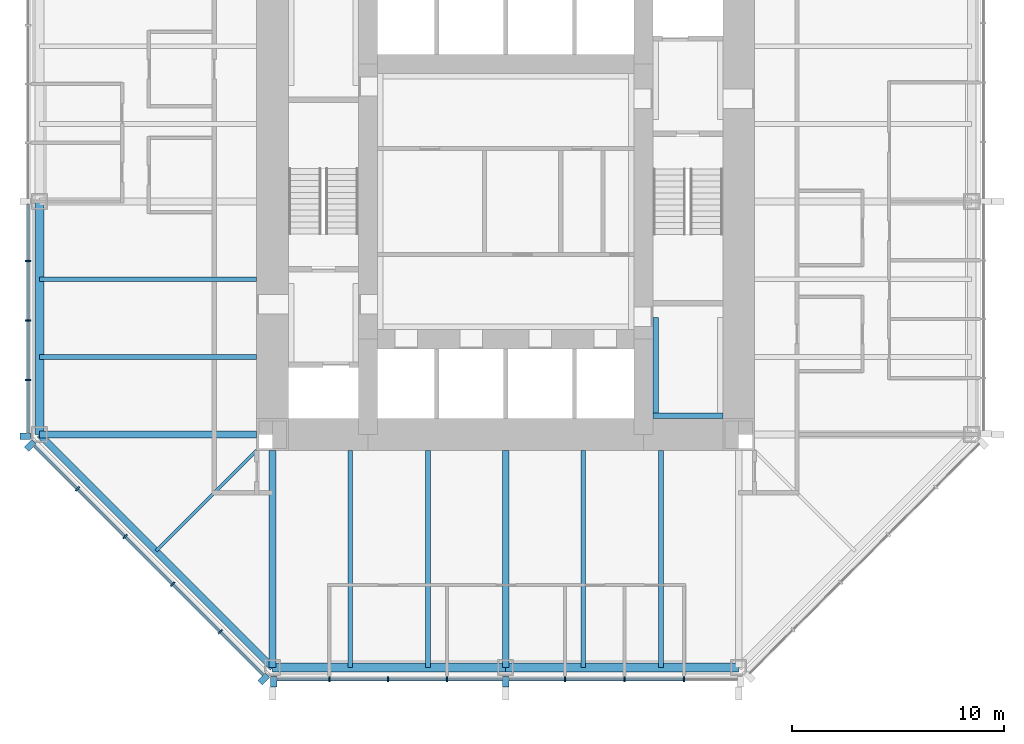
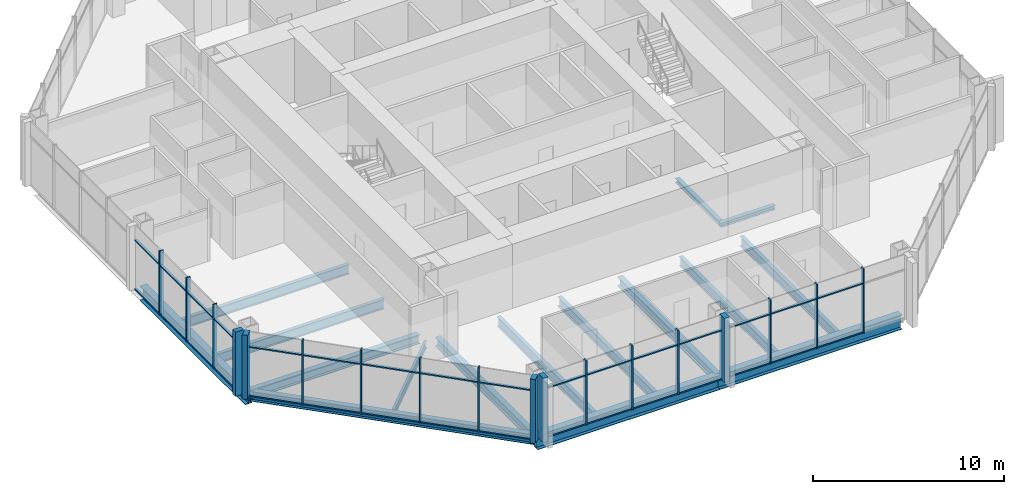
# One storey, part 2 of 12: 50 members, 16 beams, 3 elements without a shape of their own.
"""IFC4 building model written with IfcOpenShell, lengths in metres."""

from ifc_helpers import new_model, si_unit, direction, frame, origin, origin_2d, place, context, subcontext, project, spatial, rectangle, i_section, extrude, material, material_profile, profile_set, type_object, element, aggregate, save


model = new_model("IFC4")

# Units and contexts
model_context = context("Model", 3, precision=1e-05, world=origin(), true_north=direction((0.0, 1.0)))
body_context = subcontext(model_context, "Body", "Model", "MODEL_VIEW")
ifc_project = project(units=[si_unit("LENGTHUNIT", "METRE"), si_unit("AREAUNIT", "SQUARE_METRE"), si_unit("VOLUMEUNIT", "CUBIC_METRE"), si_unit("PLANEANGLEUNIT", "RADIAN"), si_unit("MASSUNIT", "GRAM", prefix="KILO")], contexts=[model_context])

# Site, building, storey
site_placement = place(None, origin())
site = spatial("IfcSite", under=ifc_project, at=site_placement, CompositionType="ELEMENT")
building_placement = place(site_placement, origin())
building = spatial("IfcBuilding", under=site, at=building_placement, Name="Trevanion Tower", CompositionType="ELEMENT")
storey_placement = place(building_placement, frame((0.0, 0.0, 145.89990234375)))
storey = spatial("IfcBuildingStorey", under=building, at=storey_placement, Name="L34", CompositionType="ELEMENT", Elevation=145.89990234375)

# Beams
ifc_material_1 = material(Name="Steel ASTM A992 Grade 50", Category="steel")
ifc_material_profile_1 = material_profile(ifc_material_1, i_section(OverallWidth=0.22900390625, OverallDepth=0.612060546875, WebThickness=0.011962890625, FlangeThickness=0.01953125, at=origin_2d()), Name="W24X84")
ifc_profile_set_1 = profile_set([ifc_material_profile_1], Name="Steel ASTM A992 Grade 50")
beam_type_1 = type_object("IfcBeamType", Name="B7 W24X84", PredefinedType="BEAM", material=ifc_profile_set_1)
for number, where, z_axis, x_axis, name in (
    (1, (-11.75, -3.666748046875, -0.49609375), (-1.0, 0.0, 0.0), (0.0, -1.0, 0.0), "B7 L34"),
    (2, (-11.75, -7.333251953125, -0.49609375), (-1.0, 0.0, 0.0), (0.0, -1.0, 0.0), "B7 L34"),
    (3, (-7.333251953125, -11.75, -0.49609375), (0.0, -1.0, 0.0), (1.0, 0.0, 0.0), "B7 L34"),
    (4, (-3.666748046875, -11.75, -0.49609375), (0.0, -1.0, 0.0), (1.0, 0.0, 0.0), "B7 L34"),
    (5, (3.666748046875, -11.75, -0.49609375), (0.0, -1.0, 0.0), (1.0, 0.0, 0.0), "B7 L34"),
    (6, (7.333251953125, -11.75, -0.49609375), (0.0, -1.0, 0.0), (1.0, 0.0, 0.0), "B7 L34"),
):
    element("IfcBeam", number, at=place(storey_placement, frame(where, z_axis=z_axis, x_axis=x_axis)), inside=storey, type_object=beam_type_1, Name=name, PredefinedType="BEAM", context=body_context, shape_type="SweptSolid", body=[
        extrude(i_section(OverallWidth=0.22900390625, OverallDepth=0.612060546875, WebThickness=0.011962890625, FlangeThickness=0.01953125, at=origin_2d()), origin(), (0.0, 0.0, 1.0), 10.25),
    ])
ifc_material_2 = material(Name="Steel ASTM A992 Grade 50", Category="steel")
ifc_material_profile_2 = material_profile(ifc_material_2, i_section(OverallWidth=0.15234375, OverallDepth=0.449462890625, WebThickness=0.007568359375, FlangeThickness=0.0107421875, at=origin_2d()), Name="W18X35")
ifc_profile_set_2 = profile_set([ifc_material_profile_2], Name="Steel ASTM A992 Grade 50")
beam_type_2 = type_object("IfcBeamType", Name="B8 W18X35", PredefinedType="BEAM", material=ifc_profile_set_2)
beam_1_placement = place(storey_placement, frame((-11.75, -11.75, -0.414794921875), z_axis=(-0.707106781187, -0.707106781187, 0.0), x_axis=(0.707106781187, -0.707106781187, 0.0)))
element("IfcBeam", 7, at=beam_1_placement, inside=storey, type_object=beam_type_2, Name="B8 L34", PredefinedType="BEAM", context=body_context, shape_type="SweptSolid", body=[
    extrude(i_section(OverallWidth=0.15234375, OverallDepth=0.449462890625, WebThickness=0.007568359375, FlangeThickness=0.0107421875, at=origin_2d()), origin(), (0.0, 0.0, 1.0), 6.717529296875),
])

# Curtain wall, members
ifc_material_3 = material(Name="Aluminium and glass", Category="aluminium")
curtain_wall_type = type_object("IfcCurtainWallType", Name="CW2 curtain wall", PredefinedType="USERDEFINED", material=ifc_material_3)
curtain_wall_1_placement = place(storey_placement, origin())
curtain_wall_1 = element("IfcCurtainWall", 8, at=curtain_wall_1_placement, inside=storey, type_object=curtain_wall_type, Name="CW2 L34 4", ObjectType="UNITISED CURTAIN WALL", PredefinedType="USERDEFINED")
ifc_material_4 = material(Name="Aluminium extrusion, anodised bronze", Category="aluminium")
ifc_material_profile_3 = material_profile(ifc_material_4, rectangle(XDim=0.074951171875, YDim=0.25, at=origin_2d()), Name="CW2 mullion")
ifc_profile_set_3 = profile_set([ifc_material_profile_3], Name="Aluminium extrusion, anodised bronze")
member_type_1 = type_object("IfcMemberType", Name="CW2 mullion", PredefinedType="MULLION", material=ifc_profile_set_3)
member_1_placement = place(storey_placement, frame((-22.550048828125, -2.806884765625, -0.18994140625), z_axis=(0.0, 0.0, 1.0), x_axis=(0.0, -1.0, 0.0)))
member_1 = element("IfcMember", 9, at=member_1_placement, type_object=member_type_1, Name="CW2 mullion 6", PredefinedType="MULLION", context=body_context, shape_type="SweptSolid", body=[
    extrude(rectangle(XDim=0.074951171875, YDim=0.25, at=origin_2d()), origin(), (0.0, 0.0, 1.0), 4.10009765625),
])
member_2_placement = place(storey_placement, frame((-22.550048828125, -5.614013671875, -0.18994140625), z_axis=(0.0, 0.0, 1.0), x_axis=(0.0, -1.0, 0.0)))
member_2 = element("IfcMember", 10, at=member_2_placement, type_object=member_type_1, Name="CW2 mullion 7", PredefinedType="MULLION", context=body_context, shape_type="SweptSolid", body=[
    extrude(rectangle(XDim=0.074951171875, YDim=0.25, at=origin_2d()), origin(), (0.0, 0.0, 1.0), 4.10009765625),
])
member_3_placement = place(storey_placement, frame((-22.550048828125, -8.4208984375, -0.18994140625), z_axis=(0.0, 0.0, 1.0), x_axis=(0.0, -1.0, 0.0)))
member_3 = element("IfcMember", 11, at=member_3_placement, type_object=member_type_1, Name="CW2 mullion 8", PredefinedType="MULLION", context=body_context, shape_type="SweptSolid", body=[
    extrude(rectangle(XDim=0.074951171875, YDim=0.25, at=origin_2d()), origin(), (0.0, 0.0, 1.0), 4.10009765625),
])

curtain_wall_2_placement = place(storey_placement, origin())
curtain_wall_2 = element("IfcCurtainWall", 12, at=curtain_wall_2_placement, inside=storey, type_object=curtain_wall_type, Name="CW2 L34 5", ObjectType="UNITISED CURTAIN WALL", PredefinedType="USERDEFINED")
member_4_placement = place(storey_placement, frame((-20.2119140625, -13.56591796875, -0.18994140625), z_axis=(0.0, 0.0, 1.0), x_axis=(0.707106781187, -0.707106781187, 0.0)))
member_4 = element("IfcMember", 13, at=member_4_placement, type_object=member_type_1, Name="CW2 mullion 2", PredefinedType="MULLION", context=body_context, shape_type="SweptSolid", body=[
    extrude(rectangle(XDim=0.074951171875, YDim=0.25, at=origin_2d()), origin(), (0.0, 0.0, 1.0), 4.10009765625),
])
member_5_placement = place(storey_placement, frame((-17.966064453125, -15.811767578125, -0.18994140625), z_axis=(0.0, 0.0, 1.0), x_axis=(0.707106781187, -0.707106781187, 0.0)))
member_5 = element("IfcMember", 14, at=member_5_placement, type_object=member_type_1, Name="CW2 mullion 3", PredefinedType="MULLION", context=body_context, shape_type="SweptSolid", body=[
    extrude(rectangle(XDim=0.074951171875, YDim=0.25, at=origin_2d()), origin(), (0.0, 0.0, 1.0), 4.10009765625),
])
member_6_placement = place(storey_placement, frame((-15.719970703125, -18.057861328125, -0.18994140625), z_axis=(0.0, 0.0, 1.0), x_axis=(0.707106781187, -0.707106781187, 0.0)))
member_6 = element("IfcMember", 15, at=member_6_placement, type_object=member_type_1, Name="CW2 mullion 4", PredefinedType="MULLION", context=body_context, shape_type="SweptSolid", body=[
    extrude(rectangle(XDim=0.074951171875, YDim=0.25, at=origin_2d()), origin(), (0.0, 0.0, 1.0), 4.10009765625),
])
member_7_placement = place(storey_placement, frame((-13.473876953125, -20.303955078125, -0.18994140625), z_axis=(0.0, 0.0, 1.0), x_axis=(0.707106781187, -0.707106781187, 0.0)))
member_7 = element("IfcMember", 16, at=member_7_placement, type_object=member_type_1, Name="CW2 mullion 5", PredefinedType="MULLION", context=body_context, shape_type="SweptSolid", body=[
    extrude(rectangle(XDim=0.074951171875, YDim=0.25, at=origin_2d()), origin(), (0.0, 0.0, 1.0), 4.10009765625),
])

curtain_wall_3_placement = place(storey_placement, origin())
curtain_wall_3 = element("IfcCurtainWall", 17, at=curtain_wall_3_placement, inside=storey, type_object=curtain_wall_type, Name="CW2 L34 6", ObjectType="UNITISED CURTAIN WALL", PredefinedType="USERDEFINED")
member_8_placement = place(storey_placement, frame((-8.323486328125, -22.550048828125, -0.18994140625), z_axis=(0.0, 0.0, 1.0), x_axis=(1.0, 0.0, 0.0)))
member_8 = element("IfcMember", 18, at=member_8_placement, type_object=member_type_1, Name="CW2 mullion 2", PredefinedType="MULLION", context=body_context, shape_type="SweptSolid", body=[
    extrude(rectangle(XDim=0.074951171875, YDim=0.25, at=origin_2d()), origin(), (0.0, 0.0, 1.0), 4.10009765625),
])
member_9_placement = place(storey_placement, frame((-5.548828125, -22.550048828125, -0.18994140625), z_axis=(0.0, 0.0, 1.0), x_axis=(1.0, 0.0, 0.0)))
member_9 = element("IfcMember", 19, at=member_9_placement, type_object=member_type_1, Name="CW2 mullion 3", PredefinedType="MULLION", context=body_context, shape_type="SweptSolid", body=[
    extrude(rectangle(XDim=0.074951171875, YDim=0.25, at=origin_2d()), origin(), (0.0, 0.0, 1.0), 4.10009765625),
])
member_10_placement = place(storey_placement, frame((-2.7744140625, -22.550048828125, -0.18994140625), z_axis=(0.0, 0.0, 1.0), x_axis=(1.0, 0.0, 0.0)))
member_10 = element("IfcMember", 20, at=member_10_placement, type_object=member_type_1, Name="CW2 mullion 4", PredefinedType="MULLION", context=body_context, shape_type="SweptSolid", body=[
    extrude(rectangle(XDim=0.074951171875, YDim=0.25, at=origin_2d()), origin(), (0.0, 0.0, 1.0), 4.10009765625),
])
member_11_placement = place(storey_placement, frame((2.806884765625, -22.550048828125, -0.18994140625), z_axis=(0.0, 0.0, 1.0), x_axis=(1.0, 0.0, 0.0)))
member_11 = element("IfcMember", 21, at=member_11_placement, type_object=member_type_1, Name="CW2 mullion 6", PredefinedType="MULLION", context=body_context, shape_type="SweptSolid", body=[
    extrude(rectangle(XDim=0.074951171875, YDim=0.25, at=origin_2d()), origin(), (0.0, 0.0, 1.0), 4.10009765625),
])
member_12_placement = place(storey_placement, frame((5.614013671875, -22.550048828125, -0.18994140625), z_axis=(0.0, 0.0, 1.0), x_axis=(1.0, 0.0, 0.0)))
member_12 = element("IfcMember", 22, at=member_12_placement, type_object=member_type_1, Name="CW2 mullion 7", PredefinedType="MULLION", context=body_context, shape_type="SweptSolid", body=[
    extrude(rectangle(XDim=0.074951171875, YDim=0.25, at=origin_2d()), origin(), (0.0, 0.0, 1.0), 4.10009765625),
])
member_13_placement = place(storey_placement, frame((8.4208984375, -22.550048828125, -0.18994140625), z_axis=(0.0, 0.0, 1.0), x_axis=(1.0, 0.0, 0.0)))
member_13 = element("IfcMember", 23, at=member_13_placement, type_object=member_type_1, Name="CW2 mullion 8", PredefinedType="MULLION", context=body_context, shape_type="SweptSolid", body=[
    extrude(rectangle(XDim=0.074951171875, YDim=0.25, at=origin_2d()), origin(), (0.0, 0.0, 1.0), 4.10009765625),
])

# Member
ifc_material_5 = material(Name="Aluminium extrusion, anodised bronze", Category="aluminium")
ifc_material_profile_4 = material_profile(ifc_material_5, rectangle(XDim=0.300048828125, YDim=0.5, at=origin_2d()), Name="CW2 pier mullion")
ifc_profile_set_4 = profile_set([ifc_material_profile_4], Name="Aluminium extrusion, anodised bronze")
member_type_2 = type_object("IfcMemberType", Name="CW2 pier mullion", PredefinedType="MULLION", material=ifc_profile_set_4)
member_14_placement = place(storey_placement, frame((-22.675048828125, -11.077880859375, -0.18994140625), z_axis=(0.0, 0.0, 1.0), x_axis=(0.0, -1.0, 0.0)))
member_14 = element("IfcMember", 24, at=member_14_placement, type_object=member_type_2, Name="CW2 pier mullion 9", PredefinedType="MULLION", context=body_context, shape_type="SweptSolid", body=[
    extrude(rectangle(XDim=0.300048828125, YDim=0.5, at=origin_2d()), origin(), (0.0, 0.0, 1.0), 4.10009765625),
])

member_15_placement = place(storey_placement, frame((-22.4404296875, -11.51416015625, -0.18994140625), z_axis=(0.0, 0.0, 1.0), x_axis=(0.707106781187, -0.707106781187, 0.0)))
member_15 = element("IfcMember", 25, at=member_15_placement, type_object=member_type_2, Name="CW2 pier mullion 1", PredefinedType="MULLION", context=body_context, shape_type="SweptSolid", body=[
    extrude(rectangle(XDim=0.300048828125, YDim=0.5, at=origin_2d()), origin(), (0.0, 0.0, 1.0), 4.10009765625),
])

member_16_placement = place(storey_placement, frame((-11.42236328125, -22.5322265625, -0.18994140625), z_axis=(0.0, 0.0, 1.0), x_axis=(0.707106781187, -0.707106781187, 0.0)))
member_16 = element("IfcMember", 26, at=member_16_placement, type_object=member_type_2, Name="CW2 pier mullion 6", PredefinedType="MULLION", context=body_context, shape_type="SweptSolid", body=[
    extrude(rectangle(XDim=0.300048828125, YDim=0.5, at=origin_2d()), origin(), (0.0, 0.0, 1.0), 4.10009765625),
])

member_17_placement = place(storey_placement, frame((-10.94775390625, -22.675048828125, -0.18994140625), z_axis=(0.0, 0.0, 1.0), x_axis=(1.0, 0.0, 0.0)))
member_17 = element("IfcMember", 27, at=member_17_placement, type_object=member_type_2, Name="CW2 pier mullion 1", PredefinedType="MULLION", context=body_context, shape_type="SweptSolid", body=[
    extrude(rectangle(XDim=0.300048828125, YDim=0.5, at=origin_2d()), origin(), (0.0, 0.0, 1.0), 4.10009765625),
])

member_18_placement = place(storey_placement, frame((0.0, -22.675048828125, -0.18994140625), z_axis=(0.0, 0.0, 1.0), x_axis=(1.0, 0.0, 0.0)))
member_18 = element("IfcMember", 28, at=member_18_placement, type_object=member_type_2, Name="CW2 pier mullion 5", PredefinedType="MULLION", context=body_context, shape_type="SweptSolid", body=[
    extrude(rectangle(XDim=0.300048828125, YDim=0.5, at=origin_2d()), origin(), (0.0, 0.0, 1.0), 4.10009765625),
])

ifc_material_6 = material(Name="Aluminium extrusion, anodised bronze", Category="aluminium")
ifc_material_profile_5 = material_profile(ifc_material_6, rectangle(XDim=0.14990234375, YDim=0.074951171875, at=origin_2d()), Name="CW2 transom")
ifc_profile_set_5 = profile_set([ifc_material_profile_5], Name="Aluminium extrusion, anodised bronze")
member_type_3 = type_object("IfcMemberType", Name="CW2 transom", PredefinedType="USERDEFINED", material=ifc_profile_set_5)
member_19_placement = place(storey_placement, frame((-22.550048828125, -0.14990234375, -0.15234375), z_axis=(0.0, -1.0, 0.0), x_axis=(1.0, 0.0, 0.0)))
member_19 = element("IfcMember", 29, at=member_19_placement, type_object=member_type_3, Name="CW2 transom 5.1", ObjectType="TRANSOM", PredefinedType="USERDEFINED", context=body_context, shape_type="SweptSolid", body=[
    extrude(rectangle(XDim=0.14990234375, YDim=0.074951171875, at=origin_2d()), origin(), (0.0, 0.0, 1.0), 2.619384765625),
])

member_20_placement = place(storey_placement, frame((-22.550048828125, -0.14990234375, 2.960205078125), z_axis=(0.0, -1.0, 0.0), x_axis=(1.0, 0.0, 0.0)))
member_20 = element("IfcMember", 30, at=member_20_placement, type_object=member_type_3, Name="CW2 transom 5.2", ObjectType="TRANSOM", PredefinedType="USERDEFINED", context=body_context, shape_type="SweptSolid", body=[
    extrude(rectangle(XDim=0.14990234375, YDim=0.074951171875, at=origin_2d()), origin(), (0.0, 0.0, 1.0), 2.619384765625),
])

member_21_placement = place(storey_placement, frame((-22.550048828125, -2.844482421875, -0.15234375), z_axis=(0.0, -1.0, 0.0), x_axis=(1.0, 0.0, 0.0)))
member_21 = element("IfcMember", 31, at=member_21_placement, type_object=member_type_3, Name="CW2 transom 6.1", ObjectType="TRANSOM", PredefinedType="USERDEFINED", context=body_context, shape_type="SweptSolid", body=[
    extrude(rectangle(XDim=0.14990234375, YDim=0.074951171875, at=origin_2d()), origin(), (0.0, 0.0, 1.0), 2.73193359375),
])

member_22_placement = place(storey_placement, frame((-22.550048828125, -2.844482421875, 2.960205078125), z_axis=(0.0, -1.0, 0.0), x_axis=(1.0, 0.0, 0.0)))
member_22 = element("IfcMember", 32, at=member_22_placement, type_object=member_type_3, Name="CW2 transom 6.2", ObjectType="TRANSOM", PredefinedType="USERDEFINED", context=body_context, shape_type="SweptSolid", body=[
    extrude(rectangle(XDim=0.14990234375, YDim=0.074951171875, at=origin_2d()), origin(), (0.0, 0.0, 1.0), 2.73193359375),
])

member_23_placement = place(storey_placement, frame((-22.550048828125, -5.6513671875, -0.15234375), z_axis=(0.0, -1.0, 0.0), x_axis=(1.0, 0.0, 0.0)))
member_23 = element("IfcMember", 33, at=member_23_placement, type_object=member_type_3, Name="CW2 transom 7.1", ObjectType="TRANSOM", PredefinedType="USERDEFINED", context=body_context, shape_type="SweptSolid", body=[
    extrude(rectangle(XDim=0.14990234375, YDim=0.074951171875, at=origin_2d()), origin(), (0.0, 0.0, 1.0), 2.73193359375),
])

member_24_placement = place(storey_placement, frame((-22.550048828125, -5.6513671875, 2.960205078125), z_axis=(0.0, -1.0, 0.0), x_axis=(1.0, 0.0, 0.0)))
member_24 = element("IfcMember", 34, at=member_24_placement, type_object=member_type_3, Name="CW2 transom 7.2", ObjectType="TRANSOM", PredefinedType="USERDEFINED", context=body_context, shape_type="SweptSolid", body=[
    extrude(rectangle(XDim=0.14990234375, YDim=0.074951171875, at=origin_2d()), origin(), (0.0, 0.0, 1.0), 2.73193359375),
])

member_25_placement = place(storey_placement, frame((-22.550048828125, -8.45849609375, -0.15234375), z_axis=(0.0, -1.0, 0.0), x_axis=(1.0, 0.0, 0.0)))
member_25 = element("IfcMember", 35, at=member_25_placement, type_object=member_type_3, Name="CW2 transom 8.1", ObjectType="TRANSOM", PredefinedType="USERDEFINED", context=body_context, shape_type="SweptSolid", body=[
    extrude(rectangle(XDim=0.14990234375, YDim=0.074951171875, at=origin_2d()), origin(), (0.0, 0.0, 1.0), 2.46923828125),
])

member_26_placement = place(storey_placement, frame((-22.550048828125, -8.45849609375, 2.960205078125), z_axis=(0.0, -1.0, 0.0), x_axis=(1.0, 0.0, 0.0)))
member_26 = element("IfcMember", 36, at=member_26_placement, type_object=member_type_3, Name="CW2 transom 8.2", ObjectType="TRANSOM", PredefinedType="USERDEFINED", context=body_context, shape_type="SweptSolid", body=[
    extrude(rectangle(XDim=0.14990234375, YDim=0.074951171875, at=origin_2d()), origin(), (0.0, 0.0, 1.0), 2.46923828125),
])

aggregate(curtain_wall_1, [member_1, member_2, member_3, member_14, member_19, member_20, member_21, member_22, member_23, member_24, member_25, member_26])

member_27_placement = place(storey_placement, frame((-22.245849609375, -11.531982421875, -0.15234375), z_axis=(0.707106781187, -0.707106781187, 0.0), x_axis=(0.707106781187, 0.707106781187, 0.0)))
member_27 = element("IfcMember", 37, at=member_27_placement, type_object=member_type_3, Name="CW2 transom 1.1", ObjectType="TRANSOM", PredefinedType="USERDEFINED", context=body_context, shape_type="SweptSolid", body=[
    extrude(rectangle(XDim=0.14990234375, YDim=0.074951171875, at=origin_2d()), origin(), (0.0, 0.0, 1.0), 2.8388671875),
])

member_28_placement = place(storey_placement, frame((-22.245849609375, -11.531982421875, 2.960205078125), z_axis=(0.707106781187, -0.707106781187, 0.0), x_axis=(0.707106781187, 0.707106781187, 0.0)))
member_28 = element("IfcMember", 38, at=member_28_placement, type_object=member_type_3, Name="CW2 transom 1.2", ObjectType="TRANSOM", PredefinedType="USERDEFINED", context=body_context, shape_type="SweptSolid", body=[
    extrude(rectangle(XDim=0.14990234375, YDim=0.074951171875, at=origin_2d()), origin(), (0.0, 0.0, 1.0), 2.8388671875),
])

member_29_placement = place(storey_placement, frame((-20.185546875, -13.59228515625, -0.15234375), z_axis=(0.707106781187, -0.707106781187, 0.0), x_axis=(0.707106781187, 0.707106781187, 0.0)))
member_29 = element("IfcMember", 39, at=member_29_placement, type_object=member_type_3, Name="CW2 transom 2.1", ObjectType="TRANSOM", PredefinedType="USERDEFINED", context=body_context, shape_type="SweptSolid", body=[
    extrude(rectangle(XDim=0.14990234375, YDim=0.074951171875, at=origin_2d()), origin(), (0.0, 0.0, 1.0), 3.1015625),
])

member_30_placement = place(storey_placement, frame((-20.185546875, -13.59228515625, 2.960205078125), z_axis=(0.707106781187, -0.707106781187, 0.0), x_axis=(0.707106781187, 0.707106781187, 0.0)))
member_30 = element("IfcMember", 40, at=member_30_placement, type_object=member_type_3, Name="CW2 transom 2.2", ObjectType="TRANSOM", PredefinedType="USERDEFINED", context=body_context, shape_type="SweptSolid", body=[
    extrude(rectangle(XDim=0.14990234375, YDim=0.074951171875, at=origin_2d()), origin(), (0.0, 0.0, 1.0), 3.1015625),
])

member_31_placement = place(storey_placement, frame((-17.939453125, -15.83837890625, -0.15234375), z_axis=(0.707106781187, -0.707106781187, 0.0), x_axis=(0.707106781187, 0.707106781187, 0.0)))
member_31 = element("IfcMember", 41, at=member_31_placement, type_object=member_type_3, Name="CW2 transom 3.1", ObjectType="TRANSOM", PredefinedType="USERDEFINED", context=body_context, shape_type="SweptSolid", body=[
    extrude(rectangle(XDim=0.14990234375, YDim=0.074951171875, at=origin_2d()), origin(), (0.0, 0.0, 1.0), 3.1015625),
])

member_32_placement = place(storey_placement, frame((-17.939453125, -15.83837890625, 2.960205078125), z_axis=(0.707106781187, -0.707106781187, 0.0), x_axis=(0.707106781187, 0.707106781187, 0.0)))
member_32 = element("IfcMember", 42, at=member_32_placement, type_object=member_type_3, Name="CW2 transom 3.2", ObjectType="TRANSOM", PredefinedType="USERDEFINED", context=body_context, shape_type="SweptSolid", body=[
    extrude(rectangle(XDim=0.14990234375, YDim=0.074951171875, at=origin_2d()), origin(), (0.0, 0.0, 1.0), 3.1015625),
])

member_33_placement = place(storey_placement, frame((-15.693359375, -18.08447265625, -0.15234375), z_axis=(0.707106781187, -0.707106781187, 0.0), x_axis=(0.707106781187, 0.707106781187, 0.0)))
member_33 = element("IfcMember", 43, at=member_33_placement, type_object=member_type_3, Name="CW2 transom 4.1", ObjectType="TRANSOM", PredefinedType="USERDEFINED", context=body_context, shape_type="SweptSolid", body=[
    extrude(rectangle(XDim=0.14990234375, YDim=0.074951171875, at=origin_2d()), origin(), (0.0, 0.0, 1.0), 3.10107421875),
])

member_34_placement = place(storey_placement, frame((-15.693359375, -18.08447265625, 2.960205078125), z_axis=(0.707106781187, -0.707106781187, 0.0), x_axis=(0.707106781187, 0.707106781187, 0.0)))
member_34 = element("IfcMember", 44, at=member_34_placement, type_object=member_type_3, Name="CW2 transom 4.2", ObjectType="TRANSOM", PredefinedType="USERDEFINED", context=body_context, shape_type="SweptSolid", body=[
    extrude(rectangle(XDim=0.14990234375, YDim=0.074951171875, at=origin_2d()), origin(), (0.0, 0.0, 1.0), 3.10107421875),
])

member_35_placement = place(storey_placement, frame((-13.447509765625, -20.33056640625, -0.15234375), z_axis=(0.707149778163, -0.707063781595, 0.0), x_axis=(0.707063781595, 0.707149778163, 0.0)))
member_35 = element("IfcMember", 45, at=member_35_placement, type_object=member_type_3, Name="CW2 transom 5.1", ObjectType="TRANSOM", PredefinedType="USERDEFINED", context=body_context, shape_type="SweptSolid", body=[
    extrude(rectangle(XDim=0.14990234375, YDim=0.074951171875, at=origin_2d()), origin(), (0.0, 0.0, 1.0), 2.8388671875),
])

member_36_placement = place(storey_placement, frame((-13.447509765625, -20.33056640625, 2.960205078125), z_axis=(0.707149778163, -0.707063781595, 0.0), x_axis=(0.707063781595, 0.707149778163, 0.0)))
member_36 = element("IfcMember", 46, at=member_36_placement, type_object=member_type_3, Name="CW2 transom 5.2", ObjectType="TRANSOM", PredefinedType="USERDEFINED", context=body_context, shape_type="SweptSolid", body=[
    extrude(rectangle(XDim=0.14990234375, YDim=0.074951171875, at=origin_2d()), origin(), (0.0, 0.0, 1.0), 2.8388671875),
])

aggregate(curtain_wall_2, [member_15, member_4, member_5, member_6, member_7, member_16, member_27, member_28, member_29, member_30, member_31, member_32, member_33, member_34, member_35, member_36])

member_37_placement = place(storey_placement, frame((-10.7978515625, -22.550048828125, -0.15234375), z_axis=(1.0, 0.0, 0.0), x_axis=(0.0, 1.0, 0.0)))
member_37 = element("IfcMember", 47, at=member_37_placement, type_object=member_type_3, Name="CW2 transom 1.1", ObjectType="TRANSOM", PredefinedType="USERDEFINED", context=body_context, shape_type="SweptSolid", body=[
    extrude(rectangle(XDim=0.14990234375, YDim=0.074951171875, at=origin_2d()), origin(), (0.0, 0.0, 1.0), 2.43701171875),
])

member_38_placement = place(storey_placement, frame((-10.7978515625, -22.550048828125, 2.960205078125), z_axis=(1.0, 0.0, 0.0), x_axis=(0.0, 1.0, 0.0)))
member_38 = element("IfcMember", 48, at=member_38_placement, type_object=member_type_3, Name="CW2 transom 1.2", ObjectType="TRANSOM", PredefinedType="USERDEFINED", context=body_context, shape_type="SweptSolid", body=[
    extrude(rectangle(XDim=0.14990234375, YDim=0.074951171875, at=origin_2d()), origin(), (0.0, 0.0, 1.0), 2.43701171875),
])

member_39_placement = place(storey_placement, frame((-8.285888671875, -22.550048828125, -0.15234375), z_axis=(1.0, 0.0, 0.0), x_axis=(0.0, 1.0, 0.0)))
member_39 = element("IfcMember", 49, at=member_39_placement, type_object=member_type_3, Name="CW2 transom 2.1", ObjectType="TRANSOM", PredefinedType="USERDEFINED", context=body_context, shape_type="SweptSolid", body=[
    extrude(rectangle(XDim=0.14990234375, YDim=0.074951171875, at=origin_2d()), origin(), (0.0, 0.0, 1.0), 2.699462890625),
])

member_40_placement = place(storey_placement, frame((-8.285888671875, -22.550048828125, 2.960205078125), z_axis=(1.0, 0.0, 0.0), x_axis=(0.0, 1.0, 0.0)))
member_40 = element("IfcMember", 50, at=member_40_placement, type_object=member_type_3, Name="CW2 transom 2.2", ObjectType="TRANSOM", PredefinedType="USERDEFINED", context=body_context, shape_type="SweptSolid", body=[
    extrude(rectangle(XDim=0.14990234375, YDim=0.074951171875, at=origin_2d()), origin(), (0.0, 0.0, 1.0), 2.699462890625),
])

member_41_placement = place(storey_placement, frame((-5.511474609375, -22.550048828125, -0.15234375), z_axis=(1.0, 0.0, 0.0), x_axis=(0.0, 1.0, 0.0)))
member_41 = element("IfcMember", 51, at=member_41_placement, type_object=member_type_3, Name="CW2 transom 3.1", ObjectType="TRANSOM", PredefinedType="USERDEFINED", context=body_context, shape_type="SweptSolid", body=[
    extrude(rectangle(XDim=0.14990234375, YDim=0.074951171875, at=origin_2d()), origin(), (0.0, 0.0, 1.0), 2.699462890625),
])

member_42_placement = place(storey_placement, frame((-5.511474609375, -22.550048828125, 2.960205078125), z_axis=(1.0, 0.0, 0.0), x_axis=(0.0, 1.0, 0.0)))
member_42 = element("IfcMember", 52, at=member_42_placement, type_object=member_type_3, Name="CW2 transom 3.2", ObjectType="TRANSOM", PredefinedType="USERDEFINED", context=body_context, shape_type="SweptSolid", body=[
    extrude(rectangle(XDim=0.14990234375, YDim=0.074951171875, at=origin_2d()), origin(), (0.0, 0.0, 1.0), 2.699462890625),
])

member_43_placement = place(storey_placement, frame((-2.737060546875, -22.550048828125, -0.15234375), z_axis=(1.0, 0.0, 0.0), x_axis=(0.0, 1.0, 0.0)))
member_43 = element("IfcMember", 53, at=member_43_placement, type_object=member_type_3, Name="CW2 transom 4.1", ObjectType="TRANSOM", PredefinedType="USERDEFINED", context=body_context, shape_type="SweptSolid", body=[
    extrude(rectangle(XDim=0.14990234375, YDim=0.074951171875, at=origin_2d()), origin(), (0.0, 0.0, 1.0), 2.587158203125),
])

member_44_placement = place(storey_placement, frame((-2.737060546875, -22.550048828125, 2.960205078125), z_axis=(1.0, 0.0, 0.0), x_axis=(0.0, 1.0, 0.0)))
member_44 = element("IfcMember", 54, at=member_44_placement, type_object=member_type_3, Name="CW2 transom 4.2", ObjectType="TRANSOM", PredefinedType="USERDEFINED", context=body_context, shape_type="SweptSolid", body=[
    extrude(rectangle(XDim=0.14990234375, YDim=0.074951171875, at=origin_2d()), origin(), (0.0, 0.0, 1.0), 2.587158203125),
])

member_45_placement = place(storey_placement, frame((0.14990234375, -22.550048828125, -0.15234375), z_axis=(1.0, 0.0, 0.0), x_axis=(0.0, 1.0, 0.0)))
member_45 = element("IfcMember", 55, at=member_45_placement, type_object=member_type_3, Name="CW2 transom 5.1", ObjectType="TRANSOM", PredefinedType="USERDEFINED", context=body_context, shape_type="SweptSolid", body=[
    extrude(rectangle(XDim=0.14990234375, YDim=0.074951171875, at=origin_2d()), origin(), (0.0, 0.0, 1.0), 2.619384765625),
])

member_46_placement = place(storey_placement, frame((0.14990234375, -22.550048828125, 2.960205078125), z_axis=(1.0, 0.0, 0.0), x_axis=(0.0, 1.0, 0.0)))
member_46 = element("IfcMember", 56, at=member_46_placement, type_object=member_type_3, Name="CW2 transom 5.2", ObjectType="TRANSOM", PredefinedType="USERDEFINED", context=body_context, shape_type="SweptSolid", body=[
    extrude(rectangle(XDim=0.14990234375, YDim=0.074951171875, at=origin_2d()), origin(), (0.0, 0.0, 1.0), 2.619384765625),
])

member_47_placement = place(storey_placement, frame((2.844482421875, -22.550048828125, -0.15234375), z_axis=(1.0, 0.0, 0.0), x_axis=(0.0, 1.0, 0.0)))
member_47 = element("IfcMember", 57, at=member_47_placement, type_object=member_type_3, Name="CW2 transom 6.1", ObjectType="TRANSOM", PredefinedType="USERDEFINED", context=body_context, shape_type="SweptSolid", body=[
    extrude(rectangle(XDim=0.14990234375, YDim=0.074951171875, at=origin_2d()), origin(), (0.0, 0.0, 1.0), 2.73193359375),
])

member_48_placement = place(storey_placement, frame((2.844482421875, -22.550048828125, 2.960205078125), z_axis=(1.0, 0.0, 0.0), x_axis=(0.0, 1.0, 0.0)))
member_48 = element("IfcMember", 58, at=member_48_placement, type_object=member_type_3, Name="CW2 transom 6.2", ObjectType="TRANSOM", PredefinedType="USERDEFINED", context=body_context, shape_type="SweptSolid", body=[
    extrude(rectangle(XDim=0.14990234375, YDim=0.074951171875, at=origin_2d()), origin(), (0.0, 0.0, 1.0), 2.73193359375),
])

member_49_placement = place(storey_placement, frame((5.6513671875, -22.550048828125, -0.15234375), z_axis=(1.0, 0.0, 0.0), x_axis=(0.0, 1.0, 0.0)))
member_49 = element("IfcMember", 59, at=member_49_placement, type_object=member_type_3, Name="CW2 transom 7.1", ObjectType="TRANSOM", PredefinedType="USERDEFINED", context=body_context, shape_type="SweptSolid", body=[
    extrude(rectangle(XDim=0.14990234375, YDim=0.074951171875, at=origin_2d()), origin(), (0.0, 0.0, 1.0), 2.73193359375),
])

member_50_placement = place(storey_placement, frame((5.6513671875, -22.550048828125, 2.960205078125), z_axis=(1.0, 0.0, 0.0), x_axis=(0.0, 1.0, 0.0)))
member_50 = element("IfcMember", 60, at=member_50_placement, type_object=member_type_3, Name="CW2 transom 7.2", ObjectType="TRANSOM", PredefinedType="USERDEFINED", context=body_context, shape_type="SweptSolid", body=[
    extrude(rectangle(XDim=0.14990234375, YDim=0.074951171875, at=origin_2d()), origin(), (0.0, 0.0, 1.0), 2.73193359375),
])

aggregate(curtain_wall_3, [member_17, member_8, member_9, member_10, member_18, member_11, member_12, member_13, member_37, member_38, member_39, member_40, member_41, member_42, member_43, member_44, member_45, member_46, member_47, member_48, member_49, member_50])

# Beams
ifc_material_7 = material(Name="Steel ASTM A992 Grade 50", Category="steel")
ifc_material_profile_6 = material_profile(ifc_material_7, i_section(OverallWidth=0.320068359375, OverallDepth=0.584228515625, WebThickness=0.023193359375, FlangeThickness=0.04150390625, at=origin_2d()), Name="W21X201")
ifc_profile_set_6 = profile_set([ifc_material_profile_6], Name="Steel ASTM A992 Grade 50")
beam_type_3 = type_object("IfcBeamType", Name="G4 W21X201", PredefinedType="BEAM", material=ifc_profile_set_6)
for number, where, z_axis, x_axis, name in (
    (61, (-11.75, -11.0, -0.48193359375), (-1.0, 0.0, 0.0), (0.0, -1.0, 0.0), "G4 L34"),
    (62, (-11.0, -11.75, -0.48193359375), (0.0, -1.0, 0.0), (1.0, 0.0, 0.0), "G4 L34"),
    (63, (0.0, -11.75, -0.48193359375), (0.0, -1.0, 0.0), (1.0, 0.0, 0.0), "G4 L34"),
):
    element("IfcBeam", number, at=place(storey_placement, frame(where, z_axis=z_axis, x_axis=x_axis)), inside=storey, type_object=beam_type_3, Name=name, PredefinedType="BEAM", context=body_context, shape_type="SweptSolid", body=[
        extrude(i_section(OverallWidth=0.320068359375, OverallDepth=0.584228515625, WebThickness=0.023193359375, FlangeThickness=0.04150390625, at=origin_2d()), origin(), (0.0, 0.0, 1.0), 10.25),
    ])
ifc_material_8 = material(Name="Steel ASTM A992 Grade 50", Category="steel")
ifc_material_profile_7 = material_profile(ifc_material_8, i_section(OverallWidth=0.256591796875, OverallDepth=0.26416015625, WebThickness=0.011962890625, FlangeThickness=0.01953125, at=origin_2d()), Name="W10X68")
ifc_profile_set_7 = profile_set([ifc_material_profile_7], Name="Steel ASTM A992 Grade 50")
beam_type_4 = type_object("IfcBeamType", Name="LB1 W10X68", PredefinedType="BEAM", material=ifc_profile_set_7)
beam_2_placement = place(storey_placement, frame((7.078369140625, -10.25, -0.33203125), z_axis=(0.0, 1.0, 0.0), x_axis=(-1.0, 0.0, 0.0)))
element("IfcBeam", 64, at=beam_2_placement, inside=storey, type_object=beam_type_4, Name="LB1 L34", PredefinedType="BEAM", context=body_context, shape_type="SweptSolid", body=[
    extrude(i_section(OverallWidth=0.256591796875, OverallDepth=0.26416015625, WebThickness=0.011962890625, FlangeThickness=0.01953125, at=origin_2d()), origin(), (0.0, 0.0, 1.0), 4.77490234375),
])
beam_3_placement = place(storey_placement, frame((6.949951171875, -10.12158203125, -0.33203125), z_axis=(1.0, 0.0, 0.0), x_axis=(0.0, 1.0, 0.0)))
element("IfcBeam", 65, at=beam_3_placement, inside=storey, type_object=beam_type_4, Name="LB1 L34", PredefinedType="BEAM", context=body_context, shape_type="SweptSolid", body=[
    extrude(i_section(OverallWidth=0.256591796875, OverallDepth=0.26416015625, WebThickness=0.011962890625, FlangeThickness=0.01953125, at=origin_2d()), origin(), (0.0, 0.0, 1.0), 3.300048828125),
])
ifc_material_9 = material(Name="Steel ASTM A992 Grade 50", Category="steel")
ifc_material_profile_8 = material_profile(ifc_material_9, i_section(OverallWidth=0.419189453125, OverallDepth=0.927001953125, WebThickness=0.019287109375, FlangeThickness=0.031982421875, at=origin_2d()), Name="W36X231")
ifc_profile_set_8 = profile_set([ifc_material_profile_8], Name="Steel ASTM A992 Grade 50")
beam_type_5 = type_object("IfcBeamType", Name="SB4 W36X231", PredefinedType="SPANDREL", material=ifc_profile_set_8)
for number, where, z_axis, x_axis, name in (
    (66, (-22.0, 0.0, -0.6533203125), (0.0, -1.0, 0.0), (1.0, 0.0, 0.0), "SB4 L34"),
    (67, (-11.0, -22.0, -0.6533203125), (1.0, 0.0, 0.0), (0.0, 1.0, 0.0), "SB4 L34"),
    (68, (0.0, -22.0, -0.6533203125), (1.0, 0.0, 0.0), (0.0, 1.0, 0.0), "SB4 L34"),
):
    element("IfcBeam", number, at=place(storey_placement, frame(where, z_axis=z_axis, x_axis=x_axis)), inside=storey, type_object=beam_type_5, Name=name, PredefinedType="SPANDREL", context=body_context, shape_type="SweptSolid", body=[
        extrude(i_section(OverallWidth=0.419189453125, OverallDepth=0.927001953125, WebThickness=0.019287109375, FlangeThickness=0.031982421875, at=origin_2d()), origin(), (0.0, 0.0, 1.0), 11.0),
    ])
ifc_material_10 = material(Name="Steel ASTM A992 Grade 50", Category="steel")
ifc_material_profile_9 = material_profile(ifc_material_10, i_section(OverallWidth=0.32763671875, OverallDepth=0.62744140625, WebThickness=0.0166015625, FlangeThickness=0.027587890625, at=origin_2d()), Name="W24X146")
ifc_profile_set_9 = profile_set([ifc_material_profile_9], Name="Steel ASTM A992 Grade 50")
beam_type_6 = type_object("IfcBeamType", Name="SB5 W24X146", PredefinedType="SPANDREL", material=ifc_profile_set_9)
beam_4_placement = place(storey_placement, frame((-22.0, -11.0, -0.503662109375), z_axis=(0.707106781187, -0.707106781187, 0.0), x_axis=(0.707106781187, 0.707106781187, 0.0)))
element("IfcBeam", 69, at=beam_4_placement, inside=storey, type_object=beam_type_6, Name="SB5 L34", PredefinedType="SPANDREL", context=body_context, shape_type="SweptSolid", body=[
    extrude(i_section(OverallWidth=0.32763671875, OverallDepth=0.62744140625, WebThickness=0.0166015625, FlangeThickness=0.027587890625, at=origin_2d()), origin(), (0.0, 0.0, 1.0), 15.556396484375),
])

save(model, "model.ifc")
